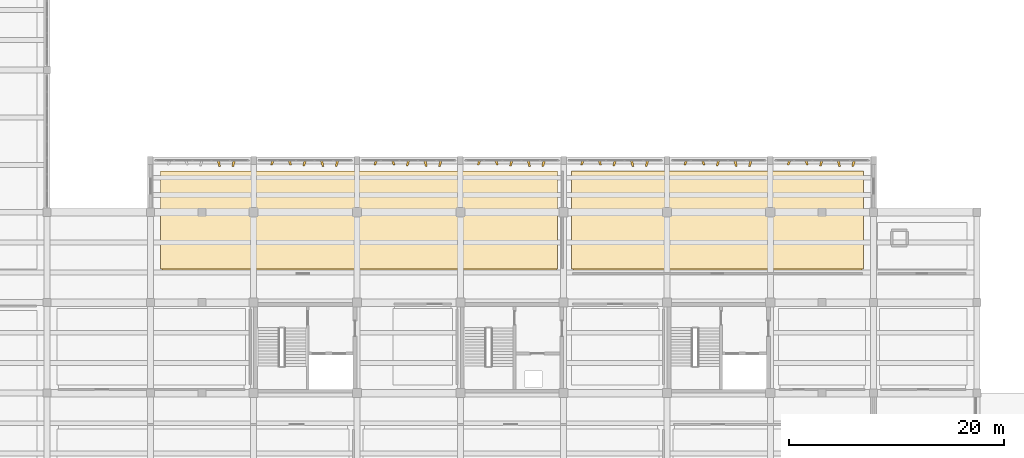
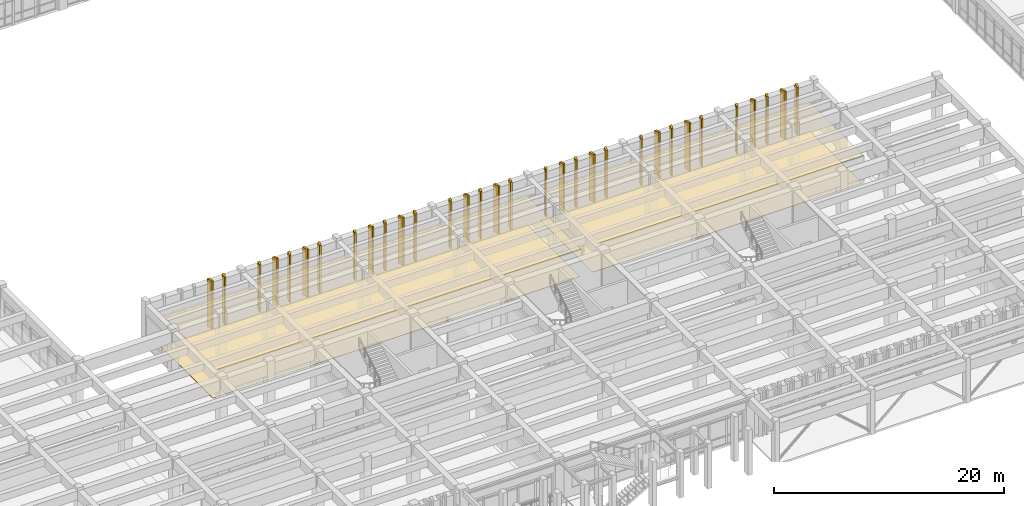
# One storey, part 79 of 86: 36 coverings.
"""IFC4 building model written with IfcOpenShell, lengths in metres."""

from ifc_helpers import new_model, si_unit, direction, frame, origin, place, context, subcontext, project, spatial, polyline, outline, extrude, material, layer, layer_set, type_object, element, save


model = new_model("IFC4")

# Units and contexts
model_context = context("Model", 3, precision=1e-05, world=origin(), true_north=direction((0.0, 1.0)))
body_context = subcontext(model_context, "Body", "Model", "MODEL_VIEW")
ifc_project = project(units=[si_unit("LENGTHUNIT", "METRE"), si_unit("AREAUNIT", "SQUARE_METRE"), si_unit("VOLUMEUNIT", "CUBIC_METRE"), si_unit("PLANEANGLEUNIT", "RADIAN"), si_unit("MASSUNIT", "GRAM", prefix="KILO")], contexts=[model_context])

# Site, building, storey
site_placement = place(None, origin())
site = spatial("IfcSite", under=ifc_project, at=site_placement, CompositionType="ELEMENT")
building_placement = place(site_placement, origin())
building = spatial("IfcBuilding", under=site, at=building_placement, Name="Kolvemor Railside Polytechnic", CompositionType="ELEMENT")
storey_placement = place(building_placement, frame((0.0, 0.0, 5.39990234375)))
storey = spatial("IfcBuildingStorey", under=building, at=storey_placement, Name="L01", CompositionType="ELEMENT", Elevation=5.39990234375)

# Coverings
ifc_material_1 = material(Name="Perforated acoustic mineral-fibre and timber-slat ceiling", Category="wood")
ifc_layer_1 = layer(ifc_material_1, 0.034912109375, Name="COV-CEIL-3")
ifc_layer_set_1 = layer_set([ifc_layer_1], Name="Perforated acoustic mineral-fibre and timber-slat ceiling")
covering_type_1 = type_object("IfcCoveringType", Name="COV-CEIL-3", PredefinedType="CEILING", material=ifc_layer_set_1)
covering_1_placement = place(storey_placement, frame((0.0, 0.0, 3.22509765625)))
element("IfcCovering", 1, at=covering_1_placement, inside=storey, type_object=covering_type_1, Name="Courtyard Overlook Design Studio Acoustic Ceiling", PredefinedType="CEILING", context=body_context, shape_type="SweptSolid", body=[
    extrude(outline(polyline([(58.679931640625, 32.719970703125), (95.320068359375, 32.719970703125), (95.320068359375, 42.25), (58.679931640625, 42.25), (58.679931640625, 32.719970703125)])), origin(), (0.0, 0.0, 1.0), 0.034912109375),
])
ifc_material_2 = material(Name="Perforated acoustic mineral-fibre and timber-slat ceiling", Category="wood")
ifc_layer_2 = layer(ifc_material_2, 0.0400390625, Name="COV-CEIL-4")
ifc_layer_set_2 = layer_set([ifc_layer_2], Name="Perforated acoustic mineral-fibre and timber-slat ceiling")
covering_type_2 = type_object("IfcCoveringType", Name="COV-CEIL-4", PredefinedType="CEILING", material=ifc_layer_set_2)
covering_2_placement = place(storey_placement, frame((0.0, 0.0, 3.22021484375)))
element("IfcCovering", 2, at=covering_2_placement, inside=storey, type_object=covering_type_2, Name="Seminar Room 104 Acoustic Ceiling", PredefinedType="CEILING", context=body_context, shape_type="SweptSolid", body=[
    extrude(outline(polyline([(96.8798828125, 32.719970703125), (123.719970703125, 32.719970703125), (123.719970703125, 42.25), (96.8798828125, 42.25), (96.8798828125, 32.719970703125)])), origin(), (0.0, 0.0, 1.0), 0.039794921875),
])
ifc_material_3 = material(Name="Sea-mist PVDF-anodised marine aluminium 5052-H32", Category="aluminium")
ifc_layer_3 = layer(ifc_material_3, 0.159912109375, Name="COV-FIN-MIST")
ifc_layer_set_3 = layer_set([ifc_layer_3], Name="Sea-mist PVDF-anodised marine aluminium 5052-H32")
covering_type_3 = type_object("IfcCoveringType", Name="COV-FIN-MIST", PredefinedType="CLADDING", material=ifc_layer_set_3)
covering_3_placement = place(storey_placement, frame((0.0, 0.0, -0.289794921875)))
element("IfcCovering", 3, at=covering_3_placement, inside=storey, type_object=covering_type_3, Name="Pleated Solar Fin L01-0450", PredefinedType="CLADDING", context=body_context, shape_type="SweptSolid", body=[
    extrude(outline(polyline([(65.514892578125, 43.235107421875), (65.284912109375, 43.235107421875), (65.179931640625, 42.64111328125), (65.340087890625, 42.64111328125), (65.514892578125, 43.235107421875)])), origin(), (0.0, 0.0, 1.0), 5.08984375),
])
covering_4_placement = place(storey_placement, frame((0.0, 0.0, -0.289794921875)))
element("IfcCovering", 4, at=covering_4_placement, inside=storey, type_object=covering_type_3, Name="Pleated Solar Fin L01-0451", PredefinedType="CLADDING", context=body_context, shape_type="SweptSolid", body=[
    extrude(outline(polyline([(64.014892578125, 43.235107421875), (63.784912109375, 43.235107421875), (63.9599609375, 42.64794921875), (64.1201171875, 42.64794921875), (64.014892578125, 43.235107421875)])), origin(), (0.0, 0.0, 1.0), 5.08984375),
])
covering_5_placement = place(storey_placement, frame((0.0, 0.0, -0.289794921875)))
element("IfcCovering", 5, at=covering_5_placement, inside=storey, type_object=covering_type_3, Name="Pleated Solar Fin L01-0455", PredefinedType="CLADDING", context=body_context, shape_type="SweptSolid", body=[
    extrude(outline(polyline([(75.114990234375, 43.235107421875), (74.885009765625, 43.235107421875), (74.780029296875, 42.64111328125), (74.93994140625, 42.64111328125), (75.114990234375, 43.235107421875)])), origin(), (0.0, 0.0, 1.0), 5.08984375),
])
covering_6_placement = place(storey_placement, frame((0.0, 0.0, -0.289794921875)))
element("IfcCovering", 6, at=covering_6_placement, inside=storey, type_object=covering_type_3, Name="Pleated Solar Fin L01-0456", PredefinedType="CLADDING", context=body_context, shape_type="SweptSolid", body=[
    extrude(outline(polyline([(73.614990234375, 43.235107421875), (73.385009765625, 43.235107421875), (73.56005859375, 42.64794921875), (73.719970703125, 42.64794921875), (73.614990234375, 43.235107421875)])), origin(), (0.0, 0.0, 1.0), 5.08984375),
])
covering_7_placement = place(storey_placement, frame((0.0, 0.0, -0.289794921875)))
element("IfcCovering", 7, at=covering_7_placement, inside=storey, type_object=covering_type_3, Name="Pleated Solar Fin L01-0457", PredefinedType="CLADDING", context=body_context, shape_type="SweptSolid", body=[
    extrude(outline(polyline([(72.114990234375, 43.235107421875), (71.885009765625, 43.235107421875), (71.780029296875, 42.715087890625), (71.93994140625, 42.715087890625), (72.114990234375, 43.235107421875)])), origin(), (0.0, 0.0, 1.0), 5.08984375),
])
covering_8_placement = place(storey_placement, frame((0.0, 0.0, -0.289794921875)))
element("IfcCovering", 8, at=covering_8_placement, inside=storey, type_object=covering_type_3, Name="Pleated Solar Fin L01-0458", PredefinedType="CLADDING", context=body_context, shape_type="SweptSolid", body=[
    extrude(outline(polyline([(70.614990234375, 43.235107421875), (70.385009765625, 43.235107421875), (70.56005859375, 42.781982421875), (70.719970703125, 42.781982421875), (70.614990234375, 43.235107421875)])), origin(), (0.0, 0.0, 1.0), 5.08984375),
])
covering_9_placement = place(storey_placement, frame((0.0, 0.0, -0.289794921875)))
element("IfcCovering", 9, at=covering_9_placement, inside=storey, type_object=covering_type_3, Name="Pleated Solar Fin L01-0459", PredefinedType="CLADDING", context=body_context, shape_type="SweptSolid", body=[
    extrude(outline(polyline([(69.114990234375, 43.235107421875), (68.885009765625, 43.235107421875), (68.780029296875, 42.7890625), (68.93994140625, 42.7890625), (69.114990234375, 43.235107421875)])), origin(), (0.0, 0.0, 1.0), 5.08984375),
])
covering_10_placement = place(storey_placement, frame((0.0, 0.0, -0.289794921875)))
element("IfcCovering", 10, at=covering_10_placement, inside=storey, type_object=covering_type_3, Name="Pleated Solar Fin L01-0460", PredefinedType="CLADDING", context=body_context, shape_type="SweptSolid", body=[
    extrude(outline(polyline([(84.715087890625, 43.235107421875), (84.485107421875, 43.235107421875), (84.3798828125, 42.64111328125), (84.5400390625, 42.64111328125), (84.715087890625, 43.235107421875)])), origin(), (0.0, 0.0, 1.0), 5.08984375),
])
covering_11_placement = place(storey_placement, frame((0.0, 0.0, -0.289794921875)))
element("IfcCovering", 11, at=covering_11_placement, inside=storey, type_object=covering_type_3, Name="Pleated Solar Fin L01-0461", PredefinedType="CLADDING", context=body_context, shape_type="SweptSolid", body=[
    extrude(outline(polyline([(83.215087890625, 43.235107421875), (82.985107421875, 43.235107421875), (83.159912109375, 42.64794921875), (83.320068359375, 42.64794921875), (83.215087890625, 43.235107421875)])), origin(), (0.0, 0.0, 1.0), 5.08984375),
])
covering_12_placement = place(storey_placement, frame((0.0, 0.0, -0.289794921875)))
element("IfcCovering", 12, at=covering_12_placement, inside=storey, type_object=covering_type_3, Name="Pleated Solar Fin L01-0462", PredefinedType="CLADDING", context=body_context, shape_type="SweptSolid", body=[
    extrude(outline(polyline([(81.715087890625, 43.235107421875), (81.485107421875, 43.235107421875), (81.3798828125, 42.715087890625), (81.5400390625, 42.715087890625), (81.715087890625, 43.235107421875)])), origin(), (0.0, 0.0, 1.0), 5.08984375),
])
covering_13_placement = place(storey_placement, frame((0.0, 0.0, -0.289794921875)))
element("IfcCovering", 13, at=covering_13_placement, inside=storey, type_object=covering_type_3, Name="Pleated Solar Fin L01-0463", PredefinedType="CLADDING", context=body_context, shape_type="SweptSolid", body=[
    extrude(outline(polyline([(80.215087890625, 43.235107421875), (79.985107421875, 43.235107421875), (80.159912109375, 42.781982421875), (80.320068359375, 42.781982421875), (80.215087890625, 43.235107421875)])), origin(), (0.0, 0.0, 1.0), 5.08984375),
])
covering_14_placement = place(storey_placement, frame((0.0, 0.0, -0.289794921875)))
element("IfcCovering", 14, at=covering_14_placement, inside=storey, type_object=covering_type_3, Name="Pleated Solar Fin L01-0464", PredefinedType="CLADDING", context=body_context, shape_type="SweptSolid", body=[
    extrude(outline(polyline([(78.715087890625, 43.235107421875), (78.485107421875, 43.235107421875), (78.3798828125, 42.7890625), (78.5400390625, 42.7890625), (78.715087890625, 43.235107421875)])), origin(), (0.0, 0.0, 1.0), 5.08984375),
])
covering_15_placement = place(storey_placement, frame((0.0, 0.0, -0.289794921875)))
element("IfcCovering", 15, at=covering_15_placement, inside=storey, type_object=covering_type_3, Name="Pleated Solar Fin L01-0465", PredefinedType="CLADDING", context=body_context, shape_type="SweptSolid", body=[
    extrude(outline(polyline([(94.31494140625, 43.235107421875), (94.0849609375, 43.235107421875), (93.97998046875, 42.64111328125), (94.139892578125, 42.64111328125), (94.31494140625, 43.235107421875)])), origin(), (0.0, 0.0, 1.0), 5.08984375),
])
covering_16_placement = place(storey_placement, frame((0.0, 0.0, -0.289794921875)))
element("IfcCovering", 16, at=covering_16_placement, inside=storey, type_object=covering_type_3, Name="Pleated Solar Fin L01-0466", PredefinedType="CLADDING", context=body_context, shape_type="SweptSolid", body=[
    extrude(outline(polyline([(92.81494140625, 43.235107421875), (92.5849609375, 43.235107421875), (92.760009765625, 42.64794921875), (92.919921875, 42.64794921875), (92.81494140625, 43.235107421875)])), origin(), (0.0, 0.0, 1.0), 5.08984375),
])
covering_17_placement = place(storey_placement, frame((0.0, 0.0, -0.289794921875)))
element("IfcCovering", 17, at=covering_17_placement, inside=storey, type_object=covering_type_3, Name="Pleated Solar Fin L01-0467", PredefinedType="CLADDING", context=body_context, shape_type="SweptSolid", body=[
    extrude(outline(polyline([(91.31494140625, 43.235107421875), (91.0849609375, 43.235107421875), (90.97998046875, 42.715087890625), (91.139892578125, 42.715087890625), (91.31494140625, 43.235107421875)])), origin(), (0.0, 0.0, 1.0), 5.08984375),
])
covering_18_placement = place(storey_placement, frame((0.0, 0.0, -0.289794921875)))
element("IfcCovering", 18, at=covering_18_placement, inside=storey, type_object=covering_type_3, Name="Pleated Solar Fin L01-0468", PredefinedType="CLADDING", context=body_context, shape_type="SweptSolid", body=[
    extrude(outline(polyline([(89.81494140625, 43.235107421875), (89.5849609375, 43.235107421875), (89.760009765625, 42.781982421875), (89.919921875, 42.781982421875), (89.81494140625, 43.235107421875)])), origin(), (0.0, 0.0, 1.0), 5.08984375),
])
covering_19_placement = place(storey_placement, frame((0.0, 0.0, -0.289794921875)))
element("IfcCovering", 19, at=covering_19_placement, inside=storey, type_object=covering_type_3, Name="Pleated Solar Fin L01-0469", PredefinedType="CLADDING", context=body_context, shape_type="SweptSolid", body=[
    extrude(outline(polyline([(88.31494140625, 43.235107421875), (88.0849609375, 43.235107421875), (87.97998046875, 42.7890625), (88.139892578125, 42.7890625), (88.31494140625, 43.235107421875)])), origin(), (0.0, 0.0, 1.0), 5.08984375),
])
covering_20_placement = place(storey_placement, frame((0.0, 0.0, -0.289794921875)))
element("IfcCovering", 20, at=covering_20_placement, inside=storey, type_object=covering_type_3, Name="Pleated Solar Fin L01-0470", PredefinedType="CLADDING", context=body_context, shape_type="SweptSolid", body=[
    extrude(outline(polyline([(103.9150390625, 43.235107421875), (103.68505859375, 43.235107421875), (103.580078125, 42.64111328125), (103.739990234375, 42.64111328125), (103.9150390625, 43.235107421875)])), origin(), (0.0, 0.0, 1.0), 5.08984375),
])
covering_21_placement = place(storey_placement, frame((0.0, 0.0, -0.289794921875)))
element("IfcCovering", 21, at=covering_21_placement, inside=storey, type_object=covering_type_3, Name="Pleated Solar Fin L01-0471", PredefinedType="CLADDING", context=body_context, shape_type="SweptSolid", body=[
    extrude(outline(polyline([(102.4150390625, 43.235107421875), (102.18505859375, 43.235107421875), (102.360107421875, 42.64794921875), (102.52001953125, 42.64794921875), (102.4150390625, 43.235107421875)])), origin(), (0.0, 0.0, 1.0), 5.08984375),
])
covering_22_placement = place(storey_placement, frame((0.0, 0.0, -0.289794921875)))
element("IfcCovering", 22, at=covering_22_placement, inside=storey, type_object=covering_type_3, Name="Pleated Solar Fin L01-0472", PredefinedType="CLADDING", context=body_context, shape_type="SweptSolid", body=[
    extrude(outline(polyline([(100.9150390625, 43.235107421875), (100.68505859375, 43.235107421875), (100.580078125, 42.715087890625), (100.739990234375, 42.715087890625), (100.9150390625, 43.235107421875)])), origin(), (0.0, 0.0, 1.0), 5.08984375),
])
covering_23_placement = place(storey_placement, frame((0.0, 0.0, -0.289794921875)))
element("IfcCovering", 23, at=covering_23_placement, inside=storey, type_object=covering_type_3, Name="Pleated Solar Fin L01-0473", PredefinedType="CLADDING", context=body_context, shape_type="SweptSolid", body=[
    extrude(outline(polyline([(99.4150390625, 43.235107421875), (99.18505859375, 43.235107421875), (99.360107421875, 42.781982421875), (99.52001953125, 42.781982421875), (99.4150390625, 43.235107421875)])), origin(), (0.0, 0.0, 1.0), 5.08984375),
])
covering_24_placement = place(storey_placement, frame((0.0, 0.0, -0.289794921875)))
element("IfcCovering", 24, at=covering_24_placement, inside=storey, type_object=covering_type_3, Name="Pleated Solar Fin L01-0474", PredefinedType="CLADDING", context=body_context, shape_type="SweptSolid", body=[
    extrude(outline(polyline([(97.9150390625, 43.235107421875), (97.68505859375, 43.235107421875), (97.580078125, 42.7890625), (97.739990234375, 42.7890625), (97.9150390625, 43.235107421875)])), origin(), (0.0, 0.0, 1.0), 5.08984375),
])
covering_25_placement = place(storey_placement, frame((0.0, 0.0, -0.289794921875)))
element("IfcCovering", 25, at=covering_25_placement, inside=storey, type_object=covering_type_3, Name="Pleated Solar Fin L01-0475", PredefinedType="CLADDING", context=body_context, shape_type="SweptSolid", body=[
    extrude(outline(polyline([(113.514892578125, 43.235107421875), (113.284912109375, 43.235107421875), (113.179931640625, 42.64111328125), (113.340087890625, 42.64111328125), (113.514892578125, 43.235107421875)])), origin(), (0.0, 0.0, 1.0), 5.08984375),
])
covering_26_placement = place(storey_placement, frame((0.0, 0.0, -0.289794921875)))
element("IfcCovering", 26, at=covering_26_placement, inside=storey, type_object=covering_type_3, Name="Pleated Solar Fin L01-0476", PredefinedType="CLADDING", context=body_context, shape_type="SweptSolid", body=[
    extrude(outline(polyline([(112.014892578125, 43.235107421875), (111.784912109375, 43.235107421875), (111.9599609375, 42.64794921875), (112.1201171875, 42.64794921875), (112.014892578125, 43.235107421875)])), origin(), (0.0, 0.0, 1.0), 5.08984375),
])
covering_27_placement = place(storey_placement, frame((0.0, 0.0, -0.289794921875)))
element("IfcCovering", 27, at=covering_27_placement, inside=storey, type_object=covering_type_3, Name="Pleated Solar Fin L01-0477", PredefinedType="CLADDING", context=body_context, shape_type="SweptSolid", body=[
    extrude(outline(polyline([(110.514892578125, 43.235107421875), (110.284912109375, 43.235107421875), (110.179931640625, 42.715087890625), (110.340087890625, 42.715087890625), (110.514892578125, 43.235107421875)])), origin(), (0.0, 0.0, 1.0), 5.08984375),
])
covering_28_placement = place(storey_placement, frame((0.0, 0.0, -0.289794921875)))
element("IfcCovering", 28, at=covering_28_placement, inside=storey, type_object=covering_type_3, Name="Pleated Solar Fin L01-0478", PredefinedType="CLADDING", context=body_context, shape_type="SweptSolid", body=[
    extrude(outline(polyline([(109.014892578125, 43.235107421875), (108.784912109375, 43.235107421875), (108.9599609375, 42.781982421875), (109.1201171875, 42.781982421875), (109.014892578125, 43.235107421875)])), origin(), (0.0, 0.0, 1.0), 5.08984375),
])
covering_29_placement = place(storey_placement, frame((0.0, 0.0, -0.289794921875)))
element("IfcCovering", 29, at=covering_29_placement, inside=storey, type_object=covering_type_3, Name="Pleated Solar Fin L01-0479", PredefinedType="CLADDING", context=body_context, shape_type="SweptSolid", body=[
    extrude(outline(polyline([(107.514892578125, 43.235107421875), (107.284912109375, 43.235107421875), (107.179931640625, 42.7890625), (107.340087890625, 42.7890625), (107.514892578125, 43.235107421875)])), origin(), (0.0, 0.0, 1.0), 5.08984375),
])
covering_30_placement = place(storey_placement, frame((0.0, 0.0, -0.289794921875)))
element("IfcCovering", 30, at=covering_30_placement, inside=storey, type_object=covering_type_3, Name="Pleated Solar Fin L01-0480", PredefinedType="CLADDING", context=body_context, shape_type="SweptSolid", body=[
    extrude(outline(polyline([(123.114990234375, 43.235107421875), (122.885009765625, 43.235107421875), (122.780029296875, 42.64111328125), (122.93994140625, 42.64111328125), (123.114990234375, 43.235107421875)])), origin(), (0.0, 0.0, 1.0), 5.08984375),
])
covering_31_placement = place(storey_placement, frame((0.0, 0.0, -0.289794921875)))
element("IfcCovering", 31, at=covering_31_placement, inside=storey, type_object=covering_type_3, Name="Pleated Solar Fin L01-0481", PredefinedType="CLADDING", context=body_context, shape_type="SweptSolid", body=[
    extrude(outline(polyline([(121.614990234375, 43.235107421875), (121.385009765625, 43.235107421875), (121.56005859375, 42.64794921875), (121.719970703125, 42.64794921875), (121.614990234375, 43.235107421875)])), origin(), (0.0, 0.0, 1.0), 5.08984375),
])
covering_32_placement = place(storey_placement, frame((0.0, 0.0, -0.289794921875)))
element("IfcCovering", 32, at=covering_32_placement, inside=storey, type_object=covering_type_3, Name="Pleated Solar Fin L01-0482", PredefinedType="CLADDING", context=body_context, shape_type="SweptSolid", body=[
    extrude(outline(polyline([(120.114990234375, 43.235107421875), (119.885009765625, 43.235107421875), (119.780029296875, 42.715087890625), (119.93994140625, 42.715087890625), (120.114990234375, 43.235107421875)])), origin(), (0.0, 0.0, 1.0), 5.08984375),
])
covering_33_placement = place(storey_placement, frame((0.0, 0.0, -0.289794921875)))
element("IfcCovering", 33, at=covering_33_placement, inside=storey, type_object=covering_type_3, Name="Pleated Solar Fin L01-0483", PredefinedType="CLADDING", context=body_context, shape_type="SweptSolid", body=[
    extrude(outline(polyline([(118.614990234375, 43.235107421875), (118.385009765625, 43.235107421875), (118.56005859375, 42.781982421875), (118.719970703125, 42.781982421875), (118.614990234375, 43.235107421875)])), origin(), (0.0, 0.0, 1.0), 5.08984375),
])
covering_34_placement = place(storey_placement, frame((0.0, 0.0, -0.289794921875)))
element("IfcCovering", 34, at=covering_34_placement, inside=storey, type_object=covering_type_3, Name="Pleated Solar Fin L01-0484", PredefinedType="CLADDING", context=body_context, shape_type="SweptSolid", body=[
    extrude(outline(polyline([(117.114990234375, 43.235107421875), (116.885009765625, 43.235107421875), (116.780029296875, 42.7890625), (116.93994140625, 42.7890625), (117.114990234375, 43.235107421875)])), origin(), (0.0, 0.0, 1.0), 5.08984375),
])
ifc_material_4 = material(Name="Polished coral-aggregate terrazzo and laboratory epoxy flooring")
ifc_layer_4 = layer(ifc_material_4, 0.030029296875, Name="COV-FLR-3")
ifc_layer_set_4 = layer_set([ifc_layer_4], Name="Polished coral-aggregate terrazzo and laboratory epoxy flooring")
covering_type_4 = type_object("IfcCoveringType", Name="COV-FLR-3", PredefinedType="FLOORING", material=ifc_layer_set_4)
covering_35_placement = place(storey_placement, origin())
element("IfcCovering", 35, at=covering_35_placement, inside=storey, type_object=covering_type_4, Name="Courtyard Overlook Design Studio Floor Finish", PredefinedType="FLOORING", context=body_context, shape_type="SweptSolid", body=[
    extrude(outline(polyline([(58.550048828125, 33.14990234375), (95.449951171875, 33.14990234375), (95.449951171875, 42.25), (58.550048828125, 42.25), (58.550048828125, 33.14990234375)])), origin(), (0.0, 0.0, 1.0), 0.030029296875),
])
ifc_material_5 = material(Name="Polished coral-aggregate terrazzo and laboratory epoxy flooring")
ifc_layer_5 = layer(ifc_material_5, 0.034912109375, Name="COV-FLR-4")
ifc_layer_set_5 = layer_set([ifc_layer_5], Name="Polished coral-aggregate terrazzo and laboratory epoxy flooring")
covering_type_5 = type_object("IfcCoveringType", Name="COV-FLR-4", PredefinedType="FLOORING", material=ifc_layer_set_5)
covering_36_placement = place(storey_placement, origin())
element("IfcCovering", 36, at=covering_36_placement, inside=storey, type_object=covering_type_5, Name="Seminar Room 104 Floor Finish", PredefinedType="FLOORING", context=body_context, shape_type="SweptSolid", body=[
    extrude(outline(polyline([(96.75, 33.14990234375), (123.85009765625, 33.14990234375), (123.85009765625, 42.25), (96.75, 42.25), (96.75, 33.14990234375)])), origin(), (0.0, 0.0, 1.0), 0.03515625),
])

save(model, "model.ifc")
